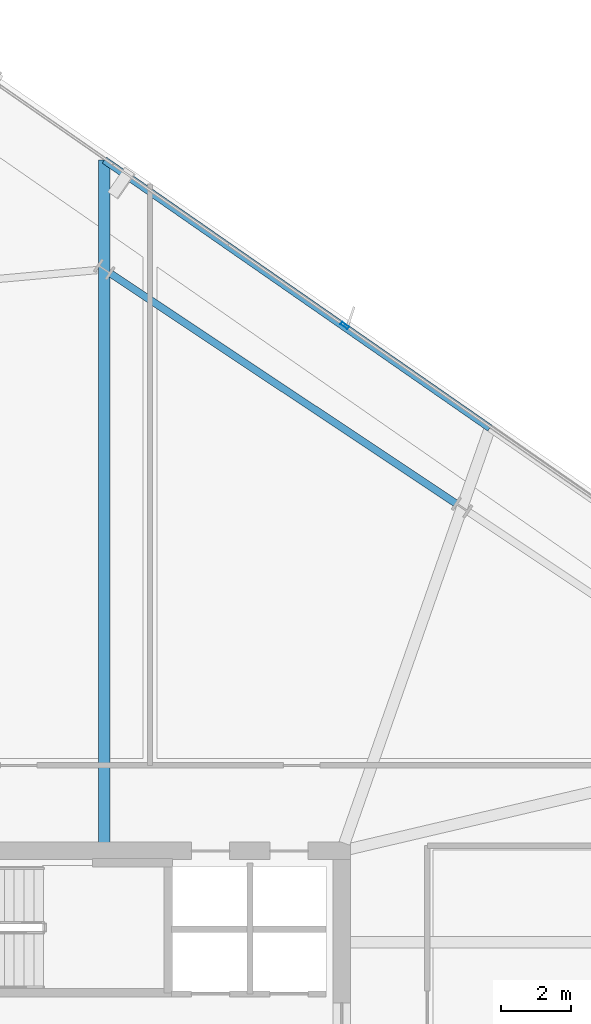
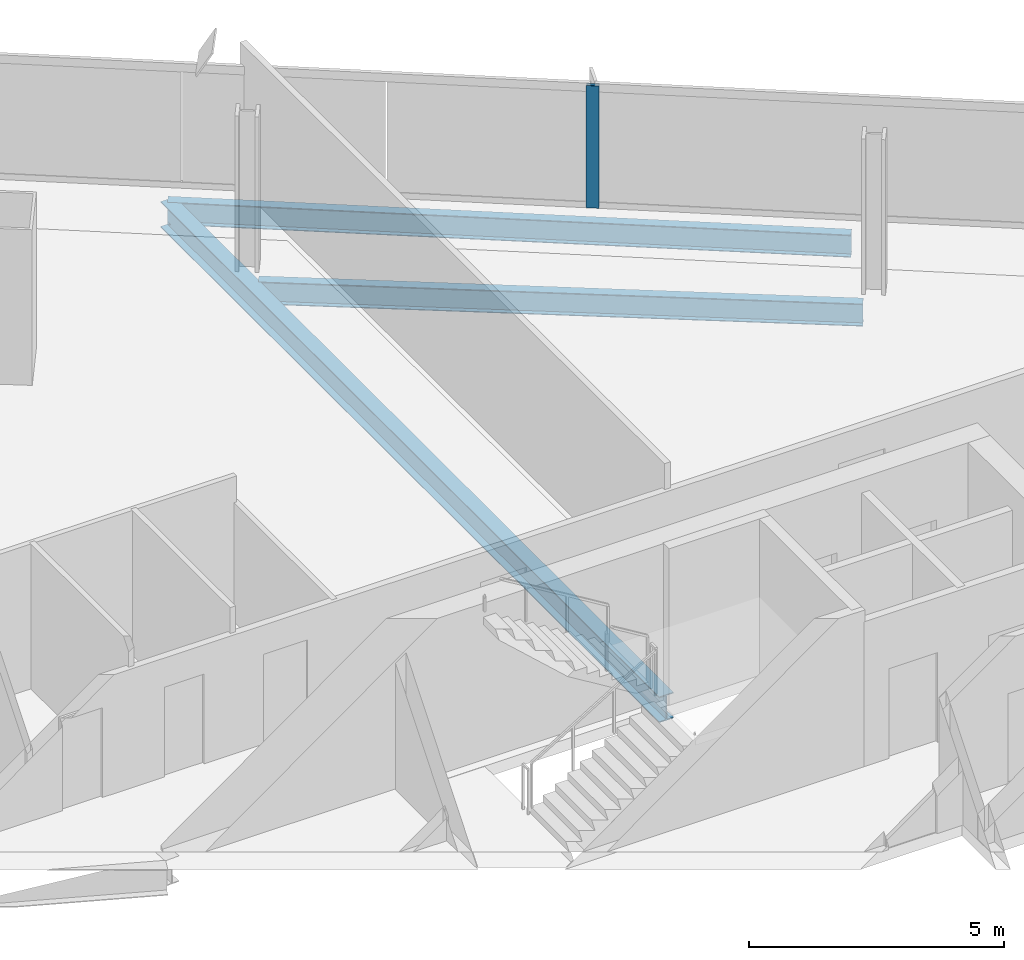
# One storey, part 20 of 30: 3 beams, 1 member, 1 element without a shape of its own.
"""IFC4 building model written with IfcOpenShell, lengths in metres."""

from ifc_helpers import new_model, si_unit, direction, frame, origin, origin_2d, place, context, subcontext, project, spatial, hollow_rectangle, i_section, extrude, material, material_profile, profile_set, type_object, element, aggregate, save


model = new_model("IFC4")

# Units and contexts
model_context = context("Model", 3, precision=1e-05, world=origin(), true_north=direction((0.0, 1.0)))
body_context = subcontext(model_context, "Body", "Model", "MODEL_VIEW")
ifc_project = project(units=[si_unit("LENGTHUNIT", "METRE"), si_unit("AREAUNIT", "SQUARE_METRE"), si_unit("VOLUMEUNIT", "CUBIC_METRE"), si_unit("PLANEANGLEUNIT", "RADIAN"), si_unit("MASSUNIT", "GRAM", prefix="KILO")], contexts=[model_context])

# Site, building, storey
site_placement = place(None, origin())
site = spatial("IfcSite", under=ifc_project, at=site_placement, CompositionType="ELEMENT")
building_placement = place(site_placement, origin())
building = spatial("IfcBuilding", under=site, at=building_placement, Name="Haldenkirk Collegiate Tower", CompositionType="ELEMENT")
storey_placement = place(building_placement, frame((0.0, 0.0, 213.449951171875)))
storey = spatial("IfcBuildingStorey", under=building, at=storey_placement, Name="L53", CompositionType="ELEMENT", Elevation=213.449951171875)

# Beams
ifc_material_1 = material(Name="Steel ASTM A992 Grade 50", Category="steel")
ifc_material_profile_1 = material_profile(ifc_material_1, i_section(OverallWidth=0.324951171875, OverallDepth=0.615966796875, WebThickness=0.013916015625, FlangeThickness=0.021484375, at=origin_2d()), Name="W24X117")
ifc_profile_set_1 = profile_set([ifc_material_profile_1], Name="Steel ASTM A992 Grade 50")
beam_type_1 = type_object("IfcBeamType", Name="BM-GIRDER-W24X117", PredefinedType="BEAM", material=ifc_profile_set_1)
beam_1_placement = place(storey_placement, frame((38.192626953125, 53.80078125, -0.587890625), z_axis=(0.0, -1.0, 0.0), x_axis=(1.0, 0.0, 0.0)))
element("IfcBeam", 1, at=beam_1_placement, inside=storey, type_object=beam_type_1, Name="L53 primary floor girder 10", PredefinedType="BEAM", context=body_context, shape_type="SweptSolid", body=[
    extrude(i_section(OverallWidth=0.324951171875, OverallDepth=0.615966796875, WebThickness=0.013916015625, FlangeThickness=0.021484375, at=origin_2d()), origin(), (0.0, 0.0, 1.0), 19.57080078125),
])
ifc_material_profile_2 = material_profile(ifc_material_1, i_section(OverallWidth=0.2099609375, OverallDepth=0.537109375, WebThickness=0.010986328125, FlangeThickness=0.017333984375, at=origin_2d()), Name="W21X68")
ifc_profile_set_2 = profile_set([ifc_material_profile_2], Name="Steel ASTM A992 Grade 50")
beam_type_2 = type_object("IfcBeamType", Name="BM-SPANDREL-W21X68", PredefinedType="SPANDREL", material=ifc_profile_set_2)
beam_2_placement = place(storey_placement, frame((48.266845703125, 43.96240234375, -0.54833984375), z_axis=(-0.832429330124, 0.554131221237, 0.0), x_axis=(-0.554131221237, -0.832429330124, 0.0)))
element("IfcBeam", 2, at=beam_2_placement, inside=storey, type_object=beam_type_2, Name="L53 perimeter spandrel beam 07", PredefinedType="SPANDREL", context=body_context, shape_type="SweptSolid", body=[
    extrude(i_section(OverallWidth=0.2099609375, OverallDepth=0.537109375, WebThickness=0.010986328125, FlangeThickness=0.017333984375, at=origin_2d()), origin(), (0.0, 0.0, 1.0), 11.88525390625),
])
beam_3_placement = place(storey_placement, frame((49.2451171875, 46.119140625, -0.54833984375), z_axis=(-0.821150608778, 0.570711553855, 0.0), x_axis=(-0.570711553855, -0.821150608778, 0.0)))
element("IfcBeam", 3, at=beam_3_placement, inside=storey, type_object=beam_type_2, Name="L53 outer facade edge beam 2B", PredefinedType="SPANDREL", context=body_context, shape_type="SweptSolid", body=[
    extrude(i_section(OverallWidth=0.2099609375, OverallDepth=0.537109375, WebThickness=0.010986328125, FlangeThickness=0.017333984375, at=origin_2d()), origin(), (0.0, 0.0, 1.0), 13.459716796875),
])

# Curtain wall, member
ifc_material_2 = material(Name="Anodised architectural bronze aluminium", Category="aluminium")
curtain_wall_type = type_object("IfcCurtainWallType", Name="CW-SYS1B-CONVEX-HI", PredefinedType="USERDEFINED", material=ifc_material_2)
curtain_wall_placement = place(storey_placement, origin())
curtain_wall = element("IfcCurtainWall", 4, at=curtain_wall_placement, inside=storey, type_object=curtain_wall_type, Name="L53 Upper tower high-wind convex bronze unitised curtain wall", ObjectType="UNITISED CURTAIN WALL", PredefinedType="USERDEFINED")
ifc_material_profile_3 = material_profile(ifc_material_2, hollow_rectangle(XDim=0.0849609375, YDim=0.25, WallThickness=0.0048828125, at=origin_2d()), Name="CW-MUL-1B")
ifc_profile_set_3 = profile_set([ifc_material_profile_3], Name="Anodised architectural bronze aluminium")
member_type = type_object("IfcMemberType", Name="CW-MUL-1B", PredefinedType="MULLION", material=ifc_profile_set_3)
member_placement = place(storey_placement, frame((45.0849609375, 49.05908203125, 0.0), z_axis=(0.0, 0.0, 1.0), x_axis=(0.570713325478, 0.821149377472, 0.0)))
member = element("IfcMember", 5, at=member_placement, type_object=member_type, Name="CW-1B mullion 2", PredefinedType="MULLION", context=body_context, shape_type="SweptSolid", body=[
    extrude(hollow_rectangle(XDim=0.0849609375, YDim=0.25, WallThickness=0.0048828125, at=origin_2d()), origin(), (0.0, 0.0, 1.0), 2.927978515625),
])
aggregate(curtain_wall, [member])

save(model, "model.ifc")
